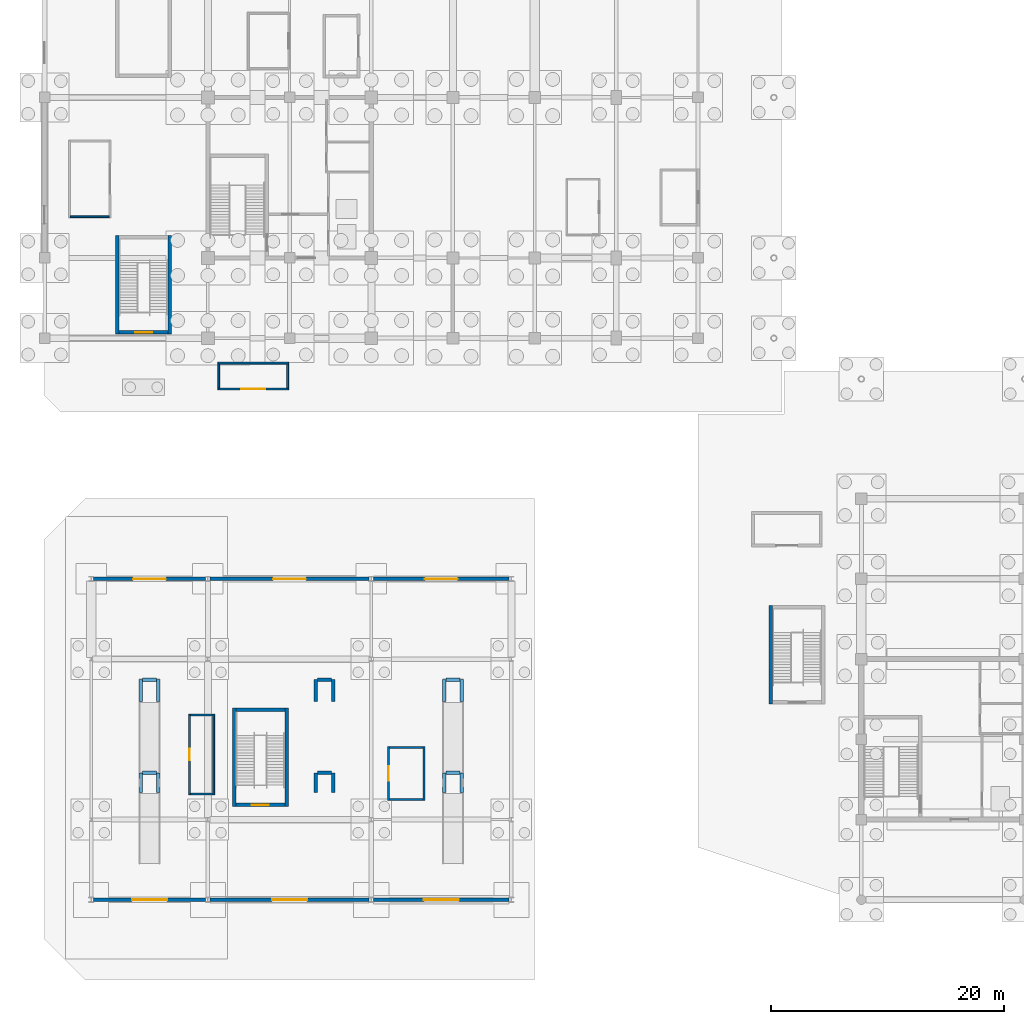
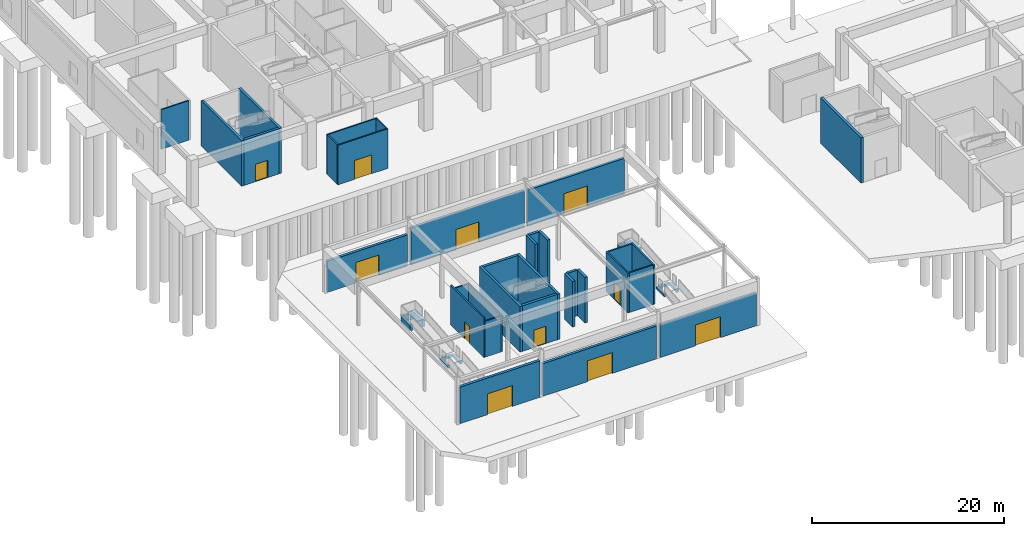
# One storey, part 37 of 62: 45 walls, 11 doors, 11 openings.
"""IFC4 building model written with IfcOpenShell, lengths in metres."""

from ifc_helpers import new_model, si_unit, direction, frame, frame_2d, origin, place, context, subcontext, project, spatial, rectangle, extrude, material, layer, layer_set, type_object, element, fill, save


model = new_model("IFC4")

# Units and contexts
model_context = context("Model", 3, precision=1e-05, world=origin(), true_north=direction((0.0, 1.0)))
body_context = subcontext(model_context, "Body", "Model", "MODEL_VIEW")
ifc_project = project(units=[si_unit("LENGTHUNIT", "METRE"), si_unit("AREAUNIT", "SQUARE_METRE"), si_unit("VOLUMEUNIT", "CUBIC_METRE"), si_unit("PLANEANGLEUNIT", "RADIAN"), si_unit("MASSUNIT", "GRAM", prefix="KILO")], contexts=[model_context])

# Site, building, storey
site_placement = place(None, origin())
site = spatial("IfcSite", under=ifc_project, at=site_placement, CompositionType="ELEMENT")
building_placement = place(site_placement, origin())
building = spatial("IfcBuilding", under=site, at=building_placement, Name="Linyun Crest Stadium", CompositionType="ELEMENT")
storey_placement = place(building_placement, frame((0.0, 0.0, -6.0)))
storey = spatial("IfcBuildingStorey", under=building, at=storey_placement, Name="B1", CompositionType="ELEMENT", Elevation=-6.0)

# Wall, opening, door
ifc_material_1 = material(Name="Concrete C40 with warm ochre ceramic faience", Category="concrete")
ifc_layer_1 = layer(ifc_material_1, 0.31005859375)
ifc_layer_set_1 = layer_set([ifc_layer_1], Name="Concrete C40 with warm ochre ceramic faience")
wall_type_1 = type_object("IfcWallType", Name="EW04", PredefinedType="SOLIDWALL", material=ifc_layer_set_1)
wall_1_placement = place(storey_placement, frame((-93.81005859375, -66.625, 0.0), z_axis=(0.0, 0.0, 1.0), x_axis=(1.0, 0.0, 0.0)))
wall_1 = element("IfcWall", 1, at=wall_1_placement, inside=storey, type_object=wall_type_1, Name="Exterior wall EW04 B1 40", PredefinedType="SOLIDWALL", context=body_context, shape_type="SweptSolid", body=[
    extrude(rectangle(XDim=9.6201171875, YDim=0.31005859375, at=frame_2d((4.81005859375, 0.0))), origin(), (0.0, 0.0, 1.0), 3.955078125),
])
opening_1_placement = place(wall_1_placement, frame((3.409912109375, 0.0, 0.0)))
opening_1 = element("IfcOpeningElement", 2, at=opening_1_placement, cuts=wall_1, Name="Opening G07", PredefinedType="OPENING", context=body_context, shape_type="SweptSolid", body=[
    extrude(rectangle(XDim=2.800048828125, YDim=2.60009765625, at=frame_2d((1.39990234375, 1.300048828125))), frame((0.0, 0.1650390625, 0.0), z_axis=(0.0, -1.0, 0.0), x_axis=(1.0, 0.0, 0.0)), (0.0, 0.0, 1.0), 0.330078125),
])
ifc_material_2 = material(Name="Verdigris painted steel botanical gate", Category="steel")
ifc_layer_2 = layer(ifc_material_2, 0.054931640625)
ifc_layer_set_2 = layer_set([ifc_layer_2], Name="Verdigris painted steel botanical gate")
door_type_1 = type_object("IfcDoorType", Name="GD03", OperationType="NOTDEFINED", PredefinedType="DOOR", material=ifc_layer_set_2)
door_1_placement = place(opening_1_placement, origin())
door_1 = element("IfcDoor", 3, at=door_1_placement, inside=storey, type_object=door_type_1, Name="Pedestrian exit gate G07", OperationType="DOUBLE_DOOR_SINGLE_SWING", OverallHeight=2.60009765625, OverallWidth=2.800048828125, PredefinedType="DOOR", context=body_context, shape_type="SweptSolid", body=[
    extrude(rectangle(XDim=2.800048828125, YDim=2.60009765625, at=frame_2d((1.39990234375, 1.300048828125))), frame((0.0, 0.02490234375, 0.0), z_axis=(0.0, -1.0, 0.0), x_axis=(1.0, 0.0, 0.0)), (0.0, 0.0, 1.0), 0.050048828125),
])
fill(opening_1, door_1)

wall_2_placement = place(storey_placement, frame((-84.18994140625, -94.125, 0.0), z_axis=(0.0, 0.0, 1.0), x_axis=(-1.0, 0.0, 0.0)))
wall_2 = element("IfcWall", 4, at=wall_2_placement, inside=storey, type_object=wall_type_1, Name="Exterior wall EW04 B1 41", PredefinedType="SOLIDWALL", context=body_context, shape_type="SweptSolid", body=[
    extrude(rectangle(XDim=9.6201171875, YDim=0.31005859375, at=frame_2d((4.81005859375, 0.0))), origin(), (0.0, 0.0, 1.0), 4.655029296875),
])
opening_2_placement = place(wall_2_placement, frame((3.31005859375, 0.0, 0.0)))
opening_2 = element("IfcOpeningElement", 5, at=opening_2_placement, cuts=wall_2, Name="Opening G08", PredefinedType="OPENING", context=body_context, shape_type="SweptSolid", body=[
    extrude(rectangle(XDim=3.0, YDim=2.64990234375, at=frame_2d((1.5, 1.324951171875))), frame((0.0, 0.1650390625, 0.0), z_axis=(0.0, -1.0, 0.0), x_axis=(1.0, 0.0, 0.0)), (0.0, 0.0, 1.0), 0.330078125),
])
ifc_material_3 = material(Name="Verdigris painted steel botanical gate", Category="steel")
ifc_layer_3 = layer(ifc_material_3, 0.06005859375)
ifc_layer_set_3 = layer_set([ifc_layer_3], Name="Verdigris painted steel botanical gate")
door_type_2 = type_object("IfcDoorType", Name="GD04", OperationType="NOTDEFINED", PredefinedType="DOOR", material=ifc_layer_set_3)
door_2_placement = place(opening_2_placement, origin())
door_2 = element("IfcDoor", 6, at=door_2_placement, inside=storey, type_object=door_type_2, Name="Pedestrian exit gate G08", OperationType="DOUBLE_DOOR_SINGLE_SWING", OverallHeight=2.64990234375, OverallWidth=3.0, PredefinedType="DOOR", context=body_context, shape_type="SweptSolid", body=[
    extrude(rectangle(XDim=3.0, YDim=2.64990234375, at=frame_2d((1.5, 1.324951171875))), frame((0.0, 0.02490234375, 0.0), z_axis=(0.0, -1.0, 0.0), x_axis=(1.0, 0.0, 0.0)), (0.0, 0.0, 1.0), 0.050048828125),
])
fill(opening_2, door_2)

wall_3_placement = place(storey_placement, frame((-83.81005859375, -66.625, 0.0), z_axis=(0.0, 0.0, 1.0), x_axis=(1.0, 0.0, 0.0)))
wall_3 = element("IfcWall", 7, at=wall_3_placement, inside=storey, type_object=wall_type_1, Name="Exterior wall EW04 B1 44", PredefinedType="SOLIDWALL", context=body_context, shape_type="SweptSolid", body=[
    extrude(rectangle(XDim=13.6201171875, YDim=0.31005859375, at=frame_2d((6.81005859375, 0.0))), origin(), (0.0, 0.0, 1.0), 4.655029296875),
])
opening_3_placement = place(wall_3_placement, frame((5.409912109375, 0.0, 0.0)))
opening_3 = element("IfcOpeningElement", 8, at=opening_3_placement, cuts=wall_3, Name="Opening G11", PredefinedType="OPENING", context=body_context, shape_type="SweptSolid", body=[
    extrude(rectangle(XDim=2.800048828125, YDim=2.60009765625, at=frame_2d((1.39990234375, 1.300048828125))), frame((0.0, 0.1650390625, 0.0), z_axis=(0.0, -1.0, 0.0), x_axis=(1.0, 0.0, 0.0)), (0.0, 0.0, 1.0), 0.330078125),
])
door_3_placement = place(opening_3_placement, origin())
door_3 = element("IfcDoor", 9, at=door_3_placement, inside=storey, type_object=door_type_1, Name="Pedestrian exit gate G11", OperationType="DOUBLE_DOOR_SINGLE_SWING", OverallHeight=2.60009765625, OverallWidth=2.800048828125, PredefinedType="DOOR", context=body_context, shape_type="SweptSolid", body=[
    extrude(rectangle(XDim=2.800048828125, YDim=2.60009765625, at=frame_2d((1.39990234375, 1.300048828125))), frame((0.0, 0.02490234375, 0.0), z_axis=(0.0, -1.0, 0.0), x_axis=(1.0, 0.0, 0.0)), (0.0, 0.0, 1.0), 0.050048828125),
])
fill(opening_3, door_3)

wall_4_placement = place(storey_placement, frame((-70.18994140625, -94.125, 0.0), z_axis=(0.0, 0.0, 1.0), x_axis=(-1.0, 0.0, 0.0)))
wall_4 = element("IfcWall", 10, at=wall_4_placement, inside=storey, type_object=wall_type_1, Name="Exterior wall EW04 B1 45", PredefinedType="SOLIDWALL", context=body_context, shape_type="SweptSolid", body=[
    extrude(rectangle(XDim=13.6201171875, YDim=0.31005859375, at=frame_2d((6.81005859375, 0.0))), origin(), (0.0, 0.0, 1.0), 4.155029296875),
])
opening_4_placement = place(wall_4_placement, frame((5.31005859375, 0.0, 0.0)))
opening_4 = element("IfcOpeningElement", 11, at=opening_4_placement, cuts=wall_4, Name="Opening G12", PredefinedType="OPENING", context=body_context, shape_type="SweptSolid", body=[
    extrude(rectangle(XDim=3.0, YDim=2.64990234375, at=frame_2d((1.5, 1.324951171875))), frame((0.0, 0.1650390625, 0.0), z_axis=(0.0, -1.0, 0.0), x_axis=(1.0, 0.0, 0.0)), (0.0, 0.0, 1.0), 0.330078125),
])
door_4_placement = place(opening_4_placement, origin())
door_4 = element("IfcDoor", 12, at=door_4_placement, inside=storey, type_object=door_type_2, Name="Pedestrian exit gate G12", OperationType="DOUBLE_DOOR_SINGLE_SWING", OverallHeight=2.64990234375, OverallWidth=3.0, PredefinedType="DOOR", context=body_context, shape_type="SweptSolid", body=[
    extrude(rectangle(XDim=3.0, YDim=2.64990234375, at=frame_2d((1.5, 1.324951171875))), frame((0.0, 0.02490234375, 0.0), z_axis=(0.0, -1.0, 0.0), x_axis=(1.0, 0.0, 0.0)), (0.0, 0.0, 1.0), 0.050048828125),
])
fill(opening_4, door_4)

wall_5_placement = place(storey_placement, frame((-69.81005859375, -66.625, 0.0), z_axis=(0.0, 0.0, 1.0), x_axis=(1.0, 0.0, 0.0)))
wall_5 = element("IfcWall", 13, at=wall_5_placement, inside=storey, type_object=wall_type_1, Name="Exterior wall EW04 B1 48", PredefinedType="SOLIDWALL", context=body_context, shape_type="SweptSolid", body=[
    extrude(rectangle(XDim=11.6201171875, YDim=0.31005859375, at=frame_2d((5.81005859375, 0.0))), origin(), (0.0, 0.0, 1.0), 4.554931640625),
])
opening_5_placement = place(wall_5_placement, frame((4.409912109375, 0.0, 0.0)))
opening_5 = element("IfcOpeningElement", 14, at=opening_5_placement, cuts=wall_5, Name="Opening G15", PredefinedType="OPENING", context=body_context, shape_type="SweptSolid", body=[
    extrude(rectangle(XDim=2.800048828125, YDim=2.60009765625, at=frame_2d((1.39990234375, 1.300048828125))), frame((0.0, 0.1650390625, 0.0), z_axis=(0.0, -1.0, 0.0), x_axis=(1.0, 0.0, 0.0)), (0.0, 0.0, 1.0), 0.330078125),
])
door_5_placement = place(opening_5_placement, origin())
door_5 = element("IfcDoor", 15, at=door_5_placement, inside=storey, type_object=door_type_1, Name="Pedestrian exit gate G15", OperationType="DOUBLE_DOOR_SINGLE_SWING", OverallHeight=2.60009765625, OverallWidth=2.800048828125, PredefinedType="DOOR", context=body_context, shape_type="SweptSolid", body=[
    extrude(rectangle(XDim=2.800048828125, YDim=2.60009765625, at=frame_2d((1.39990234375, 1.300048828125))), frame((0.0, 0.02490234375, 0.0), z_axis=(0.0, -1.0, 0.0), x_axis=(1.0, 0.0, 0.0)), (0.0, 0.0, 1.0), 0.050048828125),
])
fill(opening_5, door_5)

wall_6_placement = place(storey_placement, frame((-58.18994140625, -94.125, 0.0), z_axis=(0.0, 0.0, 1.0), x_axis=(-1.0, 0.0, 0.0)))
wall_6 = element("IfcWall", 16, at=wall_6_placement, inside=storey, type_object=wall_type_1, Name="Exterior wall EW04 B1 49", PredefinedType="SOLIDWALL", context=body_context, shape_type="SweptSolid", body=[
    extrude(rectangle(XDim=11.6201171875, YDim=0.31005859375, at=frame_2d((5.81005859375, 0.0))), origin(), (0.0, 0.0, 1.0), 4.155029296875),
])
opening_6_placement = place(wall_6_placement, frame((4.31005859375, 0.0, 0.0)))
opening_6 = element("IfcOpeningElement", 17, at=opening_6_placement, cuts=wall_6, Name="Opening G16", PredefinedType="OPENING", context=body_context, shape_type="SweptSolid", body=[
    extrude(rectangle(XDim=3.0, YDim=2.64990234375, at=frame_2d((1.5, 1.324951171875))), frame((0.0, 0.1650390625, 0.0), z_axis=(0.0, -1.0, 0.0), x_axis=(1.0, 0.0, 0.0)), (0.0, 0.0, 1.0), 0.330078125),
])
door_6_placement = place(opening_6_placement, origin())
door_6 = element("IfcDoor", 18, at=door_6_placement, inside=storey, type_object=door_type_2, Name="Pedestrian exit gate G16", OperationType="DOUBLE_DOOR_SINGLE_SWING", OverallHeight=2.64990234375, OverallWidth=3.0, PredefinedType="DOOR", context=body_context, shape_type="SweptSolid", body=[
    extrude(rectangle(XDim=3.0, YDim=2.64990234375, at=frame_2d((1.5, 1.324951171875))), frame((0.0, 0.02490234375, 0.0), z_axis=(0.0, -1.0, 0.0), x_axis=(1.0, 0.0, 0.0)), (0.0, 0.0, 1.0), 0.050048828125),
])
fill(opening_6, door_6)

# Wall
ifc_material_4 = material(Name="Steel-stud gypsum corridor fire partition", Category="steel")
ifc_layer_4 = layer(ifc_material_4, 0.14990234375)
ifc_layer_set_4 = layer_set([ifc_layer_4], Name="Steel-stud gypsum corridor fire partition")
wall_type_2 = type_object("IfcWallType", Name="PW14", PredefinedType="PARTITIONING", material=ifc_layer_set_4)
wall_7_placement = place(storey_placement, frame((-95.7919921875, -35.593994140625, 0.0), z_axis=(0.0, 0.0, 1.0), x_axis=(1.0, 0.0, 0.0)))
element("IfcWall", 19, at=wall_7_placement, inside=storey, type_object=wall_type_2, Name="Enclosure partition PW14 B1 131", PredefinedType="PARTITIONING", context=body_context, shape_type="SweptSolid", body=[
    extrude(rectangle(XDim=3.330078125, YDim=0.14990234375, at=frame_2d((1.6650390625, 0.0))), origin(), (0.0, 0.0, 1.0), 5.02001953125),
])

# Wall, opening, door
ifc_material_5 = material(Name="Medical and doping-control hygienic partition")
ifc_layer_5 = layer(ifc_material_5, 0.155029296875)
ifc_layer_set_5 = layer_set([ifc_layer_5], Name="Medical and doping-control hygienic partition")
wall_type_3 = type_object("IfcWallType", Name="PW23", PredefinedType="PARTITIONING", material=ifc_layer_set_5)
wall_8_placement = place(storey_placement, frame((-85.576904296875, -85.132080078125, 0.0), z_axis=(0.0, 0.0, 1.0), x_axis=(0.0, 1.0, 0.0)))
wall_8 = element("IfcWall", 20, at=wall_8_placement, inside=storey, type_object=wall_type_3, Name="Partition PW23 B1 156", PredefinedType="PARTITIONING", context=body_context, shape_type="SweptSolid", body=[
    extrude(rectangle(XDim=6.920166015625, YDim=0.155029296875, at=frame_2d((3.4599609375, 0.0))), origin(), (0.0, 0.0, 1.0), 5.02001953125),
])
opening_7_placement = place(wall_8_placement, frame((2.9599609375, 0.0, 0.0)))
opening_7 = element("IfcOpeningElement", 21, at=opening_7_placement, cuts=wall_8, Name="Opening D-B1-419", PredefinedType="OPENING", context=body_context, shape_type="SweptSolid", body=[
    extrude(rectangle(XDim=1.0, YDim=2.14990234375, at=frame_2d((0.5, 1.074951171875))), frame((0.0, 0.08740234375, 0.0), z_axis=(0.0, -1.0, 0.0), x_axis=(1.0, 0.0, 0.0)), (0.0, 0.0, 1.0), 0.175048828125),
])
ifc_material_6 = material(Name="Hardwood veneer acoustic leaf", Category="wood")
ifc_layer_6 = layer(ifc_material_6, 0.044921875)
ifc_layer_set_6 = layer_set([ifc_layer_6], Name="Hardwood veneer acoustic leaf")
door_type_3 = type_object("IfcDoorType", Name="ID01", OperationType="NOTDEFINED", PredefinedType="DOOR", material=ifc_layer_set_6)
door_7_placement = place(opening_7_placement, origin())
door_7 = element("IfcDoor", 22, at=door_7_placement, inside=storey, type_object=door_type_3, Name="Door D-B1-419", OperationType="SINGLE_SWING_LEFT", OverallHeight=2.14990234375, OverallWidth=1.0, PredefinedType="DOOR", context=body_context, shape_type="SweptSolid", body=[
    extrude(rectangle(XDim=1.0, YDim=2.14990234375, at=frame_2d((0.5, 1.074951171875))), frame((0.0, 0.02490234375, 0.0), z_axis=(0.0, -1.0, 0.0), x_axis=(1.0, 0.0, 0.0)), (0.0, 0.0, 1.0), 0.050048828125),
])
fill(opening_7, door_7)

wall_9_placement = place(storey_placement, frame((-77.089111328125, -50.35693359375, 0.0), z_axis=(0.0, 0.0, 1.0), x_axis=(-1.0, 0.0, 0.0)))
wall_9 = element("IfcWall", 23, at=wall_9_placement, inside=storey, type_object=wall_type_3, Name="Partition PW23 B1 250", PredefinedType="PARTITIONING", context=body_context, shape_type="SweptSolid", body=[
    extrude(rectangle(XDim=6.0498046875, YDim=0.155029296875, at=frame_2d((3.02490234375, 0.0))), origin(), (0.0, 0.0, 1.0), 5.02001953125),
])
opening_8_placement = place(wall_9_placement, frame((2.0, 0.0, 0.0)))
opening_8 = element("IfcOpeningElement", 24, at=opening_8_placement, cuts=wall_9, Name="Opening D-B1-513", PredefinedType="OPENING", context=body_context, shape_type="SweptSolid", body=[
    extrude(rectangle(XDim=2.050048828125, YDim=2.39990234375, at=frame_2d((1.02490234375, 1.199951171875))), frame((0.0, 0.08740234375, 0.0), z_axis=(0.0, -1.0, 0.0), x_axis=(1.0, 0.0, 0.0)), (0.0, 0.0, 1.0), 0.175048828125),
])
ifc_material_7 = material(Name="Double-leaf glazed aluminium door", Category="aluminium")
ifc_layer_7 = layer(ifc_material_7, 0.054931640625)
ifc_layer_set_7 = layer_set([ifc_layer_7], Name="Double-leaf glazed aluminium door")
door_type_4 = type_object("IfcDoorType", Name="ID07", OperationType="NOTDEFINED", PredefinedType="DOOR", material=ifc_layer_set_7)
door_8_placement = place(opening_8_placement, origin())
door_8 = element("IfcDoor", 25, at=door_8_placement, inside=storey, type_object=door_type_4, Name="Door D-B1-513", OperationType="DOUBLE_DOOR_SINGLE_SWING", OverallHeight=2.39990234375, OverallWidth=2.050048828125, PredefinedType="DOOR", context=body_context, shape_type="SweptSolid", body=[
    extrude(rectangle(XDim=2.050048828125, YDim=2.39990234375, at=frame_2d((1.02490234375, 1.199951171875))), frame((0.0, 0.02490234375, 0.0), z_axis=(0.0, -1.0, 0.0), x_axis=(1.0, 0.0, 0.0)), (0.0, 0.0, 1.0), 0.050048828125),
])
fill(opening_8, door_8)

# Walls
wall_10_placement = place(storey_placement, frame((-83.4970703125, -85.132080078125, 0.0), z_axis=(0.0, 0.0, 1.0), x_axis=(0.0, 1.0, 0.0)))
element("IfcWall", 26, at=wall_10_placement, inside=storey, type_object=wall_type_3, Name="Enclosure partition PW23 B1 184", PredefinedType="PARTITIONING", context=body_context, shape_type="SweptSolid", body=[
    extrude(rectangle(XDim=6.920166015625, YDim=0.155029296875, at=frame_2d((3.4599609375, 0.0))), origin(), (0.0, 0.0, 1.0), 4.554931640625),
])
for number, where, z_axis, x_axis, name in (
    (27, (-85.4990234375, -85.053955078125, 0.0), (0.0, 0.0, 1.0), (1.0, 0.0, 0.0), "Enclosure partition PW23 B1 185"),
    (28, (-85.4990234375, -78.2900390625, 0.0), (0.0, 0.0, 1.0), (1.0, 0.0, 0.0), "Enclosure partition PW23 B1 186"),
):
    element("IfcWall", number, at=place(storey_placement, frame(where, z_axis=z_axis, x_axis=x_axis)), inside=storey, type_object=wall_type_3, Name=name, PredefinedType="PARTITIONING", context=body_context, shape_type="SweptSolid", body=[
        extrude(rectangle(XDim=1.924072265625, YDim=0.155029296875, at=frame_2d((0.9619140625, 0.0))), origin(), (0.0, 0.0, 1.0), 4.554931640625),
    ])
wall_11_placement = place(storey_placement, frame((-83.138916015625, -48.136962890625, 0.0), z_axis=(0.0, 0.0, 1.0), x_axis=(1.0, 0.0, 0.0)))
element("IfcWall", 29, at=wall_11_placement, inside=storey, type_object=wall_type_3, Name="Enclosure partition PW23 B1 466", PredefinedType="PARTITIONING", context=body_context, shape_type="SweptSolid", body=[
    extrude(rectangle(XDim=6.0498046875, YDim=0.155029296875, at=frame_2d((3.02490234375, 0.0))), origin(), (0.0, 0.0, 1.0), 5.02001953125),
])
for number, where, z_axis, x_axis, name in (
    (30, (-83.06103515625, -50.279052734375, 0.0), (0.0, 0.0, 1.0), (0.0, 1.0, 0.0), "Enclosure partition PW23 B1 467"),
    (31, (-77.1669921875, -50.279052734375, 0.0), (0.0, 0.0, 1.0), (0.0, 1.0, 0.0), "Enclosure partition PW23 B1 468"),
):
    element("IfcWall", number, at=place(storey_placement, frame(where, z_axis=z_axis, x_axis=x_axis)), inside=storey, type_object=wall_type_3, Name=name, PredefinedType="PARTITIONING", context=body_context, shape_type="SweptSolid", body=[
        extrude(rectangle(XDim=2.06396484375, YDim=0.155029296875, at=frame_2d((1.031982421875, 0.0))), origin(), (0.0, 0.0, 1.0), 5.02001953125),
    ])

# Wall, opening, door
ifc_material_8 = material(Name="Concourse concession fire-rated masonry wall", Category="masonry")
ifc_layer_8 = layer(ifc_material_8, 0.175048828125)
ifc_layer_set_8 = layer_set([ifc_layer_8], Name="Concourse concession fire-rated masonry wall")
wall_type_4 = type_object("IfcWallType", Name="PW24", PredefinedType="PARTITIONING", material=ifc_layer_set_8)
wall_12_placement = place(storey_placement, frame((-68.530029296875, -85.60498046875, 0.0), z_axis=(0.0, 0.0, 1.0), x_axis=(0.0, 1.0, 0.0)))
wall_12 = element("IfcWall", 32, at=wall_12_placement, inside=storey, type_object=wall_type_4, Name="Partition PW24 B1 157", PredefinedType="PARTITIONING", context=body_context, shape_type="SweptSolid", body=[
    extrude(rectangle(XDim=4.60009765625, YDim=0.175048828125, at=frame_2d((2.300048828125, 0.0))), origin(), (0.0, 0.0, 1.0), 5.02001953125),
])
opening_9_placement = place(wall_12_placement, frame((1.675048828125, 0.0, 0.0)))
opening_9 = element("IfcOpeningElement", 33, at=opening_9_placement, cuts=wall_12, Name="Opening D-B1-420", PredefinedType="OPENING", context=body_context, shape_type="SweptSolid", body=[
    extrude(rectangle(XDim=1.25, YDim=2.199951171875, at=frame_2d((0.625, 1.10009765625))), frame((0.0, 0.097412109375, 0.0), z_axis=(0.0, -1.0, 0.0), x_axis=(1.0, 0.0, 0.0)), (0.0, 0.0, 1.0), 0.195068359375),
])
ifc_material_9 = material(Name="Solid-core timber acoustic door", Category="wood")
ifc_layer_9 = layer(ifc_material_9, 0.050048828125)
ifc_layer_set_9 = layer_set([ifc_layer_9], Name="Solid-core timber acoustic door")
door_type_5 = type_object("IfcDoorType", Name="ID04", OperationType="NOTDEFINED", PredefinedType="DOOR", material=ifc_layer_set_9)
door_9_placement = place(opening_9_placement, origin())
door_9 = element("IfcDoor", 34, at=door_9_placement, inside=storey, type_object=door_type_5, Name="Door D-B1-420", OperationType="SINGLE_SWING_RIGHT", OverallHeight=2.199951171875, OverallWidth=1.25, PredefinedType="DOOR", context=body_context, shape_type="SweptSolid", body=[
    extrude(rectangle(XDim=1.25, YDim=2.199951171875, at=frame_2d((0.625, 1.10009765625))), frame((0.0, 0.02490234375, 0.0), z_axis=(0.0, -1.0, 0.0), x_axis=(1.0, 0.0, 0.0)), (0.0, 0.0, 1.0), 0.050048828125),
])
fill(opening_9, door_9)

# Walls
wall_13_placement = place(storey_placement, frame((-65.469970703125, -85.60498046875, 0.0), z_axis=(0.0, 0.0, 1.0), x_axis=(0.0, 1.0, 0.0)))
element("IfcWall", 35, at=wall_13_placement, inside=storey, type_object=wall_type_4, Name="Enclosure partition PW24 B1 187", PredefinedType="PARTITIONING", context=body_context, shape_type="SweptSolid", body=[
    extrude(rectangle(XDim=4.60009765625, YDim=0.175048828125, at=frame_2d((2.300048828125, 0.0))), origin(), (0.0, 0.0, 1.0), 5.02001953125),
])
for number, where, z_axis, x_axis, name in (
    (36, (-68.44189453125, -85.51708984375, 0.0), (0.0, 0.0, 1.0), (1.0, 0.0, 0.0), "Enclosure partition PW24 B1 188"),
    (37, (-68.44189453125, -81.093017578125, 0.0), (0.0, 0.0, 1.0), (1.0, 0.0, 0.0), "Enclosure partition PW24 B1 189"),
):
    element("IfcWall", number, at=place(storey_placement, frame(where, z_axis=z_axis, x_axis=x_axis)), inside=storey, type_object=wall_type_4, Name=name, PredefinedType="PARTITIONING", context=body_context, shape_type="SweptSolid", body=[
        extrude(rectangle(XDim=2.8837890625, YDim=0.175048828125, at=frame_2d((1.44189453125, 0.0))), origin(), (0.0, 0.0, 1.0), 5.02001953125),
    ])

# Wall, opening, door
ifc_material_10 = material(Name="Concrete C50", Category="concrete")
ifc_layer_10 = layer(ifc_material_10, 0.300048828125)
ifc_layer_set_10 = layer_set([ifc_layer_10], Name="Concrete C50")
wall_type_5 = type_object("IfcWallType", Name="SW01", PredefinedType="SHEAR", material=ifc_layer_set_10)
wall_14_placement = place(storey_placement, frame((-91.60009765625, -45.5, 0.0), z_axis=(0.0, 0.0, 1.0), x_axis=(1.0, 0.0, 0.0)))
wall_14 = element("IfcWall", 38, at=wall_14_placement, inside=storey, type_object=wall_type_5, Name="Stair shaft wall SW01 STR-13 B1 S", PredefinedType="SHEAR", context=body_context, shape_type="SweptSolid", body=[
    extrude(rectangle(XDim=4.2001953125, YDim=0.300048828125, at=frame_2d((2.10009765625, 0.0))), origin(), (0.0, 0.0, 1.0), 5.75),
])
opening_10_placement = place(wall_14_placement, frame((1.375, 0.0, 0.0)))
opening_10 = element("IfcOpeningElement", 39, at=opening_10_placement, cuts=wall_14, Name="Opening D-B1-540", PredefinedType="OPENING", context=body_context, shape_type="SweptSolid", body=[
    extrude(rectangle(XDim=1.449951171875, YDim=2.199951171875, at=frame_2d((0.72509765625, 1.10009765625))), frame((0.0, 0.159912109375, 0.0), z_axis=(0.0, -1.0, 0.0), x_axis=(1.0, 0.0, 0.0)), (0.0, 0.0, 1.0), 0.320068359375),
])
ifc_material_11 = material(Name="Galvanized steel Class A fire door", Category="steel")
ifc_layer_11 = layer(ifc_material_11, 0.054931640625)
ifc_layer_set_11 = layer_set([ifc_layer_11], Name="Galvanized steel Class A fire door")
door_type_6 = type_object("IfcDoorType", Name="FD02", OperationType="NOTDEFINED", PredefinedType="DOOR", material=ifc_layer_set_11)
door_10_placement = place(opening_10_placement, origin())
door_10 = element("IfcDoor", 40, at=door_10_placement, inside=storey, type_object=door_type_6, Name="Door D-B1-540", OperationType="SINGLE_SWING_RIGHT", OverallHeight=2.199951171875, OverallWidth=1.449951171875, PredefinedType="DOOR", context=body_context, shape_type="SweptSolid", body=[
    extrude(rectangle(XDim=1.449951171875, YDim=2.199951171875, at=frame_2d((0.72509765625, 1.10009765625))), frame((0.0, 0.02490234375, 0.0), z_axis=(0.0, -1.0, 0.0), x_axis=(1.0, 0.0, 0.0)), (0.0, 0.0, 1.0), 0.050048828125),
])
fill(opening_10, door_10)

# Walls
for number, where, z_axis, x_axis, name in (
    (41, (-91.75, -45.64990234375, 0.0), (0.0, 0.0, 1.0), (0.0, 1.0, 0.0), "Stair shaft wall SW01 STR-13 B1 W"),
    (42, (-87.25, -45.64990234375, 0.0), (0.0, 0.0, 1.0), (0.0, 1.0, 0.0), "Stair shaft wall SW01 STR-13 B1 E"),
):
    element("IfcWall", number, at=place(storey_placement, frame(where, z_axis=z_axis, x_axis=x_axis)), inside=storey, type_object=wall_type_5, Name=name, PredefinedType="SHEAR", context=body_context, shape_type="SweptSolid", body=[
        extrude(rectangle(XDim=8.449951171875, YDim=0.300048828125, at=frame_2d((4.22509765625, 0.0))), origin(), (0.0, 0.0, 1.0), 5.75),
    ])
wall_15_placement = place(storey_placement, frame((-35.75, -77.35009765625, 0.0), z_axis=(0.0, 0.0, 1.0), x_axis=(0.0, 1.0, 0.0)))
element("IfcWall", 43, at=wall_15_placement, inside=storey, type_object=wall_type_5, Name="Stair shaft wall SW01 STR-27 B1 W", PredefinedType="SHEAR", context=body_context, shape_type="SweptSolid", body=[
    extrude(rectangle(XDim=8.4501953125, YDim=0.300048828125, at=frame_2d((4.22509765625, 0.0))), origin(), (0.0, 0.0, 1.0), 5.75),
])

# Wall, opening, door
wall_16_placement = place(storey_placement, frame((-81.60009765625, -86.0, 0.0), z_axis=(0.0, 0.0, 1.0), x_axis=(1.0, 0.0, 0.0)))
wall_16 = element("IfcWall", 44, at=wall_16_placement, inside=storey, type_object=wall_type_5, Name="Stair shaft wall SW01 STR-30 B1 S", PredefinedType="SHEAR", context=body_context, shape_type="SweptSolid", body=[
    extrude(rectangle(XDim=4.2001953125, YDim=0.300048828125, at=frame_2d((2.10009765625, 0.0))), origin(), (0.0, 0.0, 1.0), 5.780029296875),
])
opening_11_placement = place(wall_16_placement, frame((1.375, 0.0, 0.0)))
opening_11 = element("IfcOpeningElement", 45, at=opening_11_placement, cuts=wall_16, Name="Opening D-B1-627", PredefinedType="OPENING", context=body_context, shape_type="SweptSolid", body=[
    extrude(rectangle(XDim=1.449951171875, YDim=2.199951171875, at=frame_2d((0.72509765625, 1.10009765625))), frame((0.0, 0.159912109375, 0.0), z_axis=(0.0, -1.0, 0.0), x_axis=(1.0, 0.0, 0.0)), (0.0, 0.0, 1.0), 0.320068359375),
])
door_11_placement = place(opening_11_placement, origin())
door_11 = element("IfcDoor", 46, at=door_11_placement, inside=storey, type_object=door_type_6, Name="Door D-B1-627", OperationType="SINGLE_SWING_LEFT", OverallHeight=2.199951171875, OverallWidth=1.449951171875, PredefinedType="DOOR", context=body_context, shape_type="SweptSolid", body=[
    extrude(rectangle(XDim=1.449951171875, YDim=2.199951171875, at=frame_2d((0.72509765625, 1.10009765625))), frame((0.0, 0.02490234375, 0.0), z_axis=(0.0, -1.0, 0.0), x_axis=(1.0, 0.0, 0.0)), (0.0, 0.0, 1.0), 0.050048828125),
])
fill(opening_11, door_11)

# Walls
wall_17_placement = place(storey_placement, frame((-81.60009765625, -77.85009765625, 0.0), z_axis=(0.0, 0.0, 1.0), x_axis=(1.0, 0.0, 0.0)))
element("IfcWall", 47, at=wall_17_placement, inside=storey, type_object=wall_type_5, Name="Stair shaft wall SW01 STR-30 B1 N", PredefinedType="SHEAR", context=body_context, shape_type="SweptSolid", body=[
    extrude(rectangle(XDim=4.2001953125, YDim=0.300048828125, at=frame_2d((2.10009765625, 0.0))), origin(), (0.0, 0.0, 1.0), 5.780029296875),
])
for number, where, z_axis, x_axis, name in (
    (48, (-81.75, -86.14990234375, 0.0), (0.0, 0.0, 1.0), (0.0, 1.0, 0.0), "Stair shaft wall SW01 STR-30 B1 W"),
    (49, (-77.25, -86.14990234375, 0.0), (0.0, 0.0, 1.0), (0.0, 1.0, 0.0), "Stair shaft wall SW01 STR-30 B1 E"),
):
    element("IfcWall", number, at=place(storey_placement, frame(where, z_axis=z_axis, x_axis=x_axis)), inside=storey, type_object=wall_type_5, Name=name, PredefinedType="SHEAR", context=body_context, shape_type="SweptSolid", body=[
        extrude(rectangle(XDim=8.449951171875, YDim=0.300048828125, at=frame_2d((4.22509765625, 0.0))), origin(), (0.0, 0.0, 1.0), 5.780029296875),
    ])
for number, where, z_axis, x_axis, name in (
    (50, (-89.75, -84.949951171875, 0.0), (0.0, 0.0, 1.0), (0.0, 1.0, 0.0), "Ramp plinth wall SW01 RMP-01.1W"),
    (51, (-88.25, -84.949951171875, 0.0), (0.0, 0.0, 1.0), (0.0, 1.0, 0.0), "Ramp plinth wall SW01 RMP-01.1E"),
):
    element("IfcWall", number, at=place(storey_placement, frame(where, z_axis=z_axis, x_axis=x_axis)), inside=storey, type_object=wall_type_5, Name=name, PredefinedType="SHEAR", context=body_context, shape_type="SweptSolid", body=[
        extrude(rectangle(XDim=1.699951171875, YDim=0.300048828125, at=frame_2d((0.85009765625, 0.0))), origin(), (0.0, 0.0, 1.0), 0.300048828125),
    ])
wall_18_placement = place(storey_placement, frame((-89.60009765625, -83.25, 0.0), z_axis=(0.0, 0.0, 1.0), x_axis=(1.0, 0.0, 0.0)))
element("IfcWall", 52, at=wall_18_placement, inside=storey, type_object=wall_type_5, Name="Ramp plinth wall SW01 RMP-01.1N", PredefinedType="SHEAR", context=body_context, shape_type="SweptSolid", body=[
    extrude(rectangle(XDim=1.2001953125, YDim=0.300048828125, at=frame_2d((0.60009765625, 0.0))), origin(), (0.0, 0.0, 1.0), 0.300048828125),
])
for number, where, z_axis, x_axis, name in (
    (53, (-89.75, -77.14990234375, 0.0), (0.0, 0.0, 1.0), (0.0, 1.0, 0.0), "Ramp plinth wall SW01 RMP-01.2W"),
    (54, (-88.25, -77.14990234375, 0.0), (0.0, 0.0, 1.0), (0.0, 1.0, 0.0), "Ramp plinth wall SW01 RMP-01.2E"),
):
    element("IfcWall", number, at=place(storey_placement, frame(where, z_axis=z_axis, x_axis=x_axis)), inside=storey, type_object=wall_type_5, Name=name, PredefinedType="SHEAR", context=body_context, shape_type="SweptSolid", body=[
        extrude(rectangle(XDim=1.89990234375, YDim=0.300048828125, at=frame_2d((0.949951171875, 0.0))), origin(), (0.0, 0.0, 1.0), 0.800048828125),
    ])
wall_19_placement = place(storey_placement, frame((-89.60009765625, -75.25, 0.0), z_axis=(0.0, 0.0, 1.0), x_axis=(1.0, 0.0, 0.0)))
element("IfcWall", 55, at=wall_19_placement, inside=storey, type_object=wall_type_5, Name="Ramp plinth wall SW01 RMP-01.2N", PredefinedType="SHEAR", context=body_context, shape_type="SweptSolid", body=[
    extrude(rectangle(XDim=1.2001953125, YDim=0.300048828125, at=frame_2d((0.60009765625, 0.0))), origin(), (0.0, 0.0, 1.0), 0.800048828125),
])
for number, where, z_axis, x_axis, name in (
    (56, (-63.75, -84.949951171875, 0.0), (0.0, 0.0, 1.0), (0.0, 1.0, 0.0), "Ramp plinth wall SW01 RMP-02.1W"),
    (57, (-62.25, -84.949951171875, 0.0), (0.0, 0.0, 1.0), (0.0, 1.0, 0.0), "Ramp plinth wall SW01 RMP-02.1E"),
):
    element("IfcWall", number, at=place(storey_placement, frame(where, z_axis=z_axis, x_axis=x_axis)), inside=storey, type_object=wall_type_5, Name=name, PredefinedType="SHEAR", context=body_context, shape_type="SweptSolid", body=[
        extrude(rectangle(XDim=1.699951171875, YDim=0.300048828125, at=frame_2d((0.85009765625, 0.0))), origin(), (0.0, 0.0, 1.0), 0.300048828125),
    ])
wall_20_placement = place(storey_placement, frame((-63.60009765625, -83.25, 0.0), z_axis=(0.0, 0.0, 1.0), x_axis=(1.0, 0.0, 0.0)))
element("IfcWall", 58, at=wall_20_placement, inside=storey, type_object=wall_type_5, Name="Ramp plinth wall SW01 RMP-02.1N", PredefinedType="SHEAR", context=body_context, shape_type="SweptSolid", body=[
    extrude(rectangle(XDim=1.2001953125, YDim=0.300048828125, at=frame_2d((0.60009765625, 0.0))), origin(), (0.0, 0.0, 1.0), 0.300048828125),
])
for number, where, z_axis, x_axis, name in (
    (59, (-63.75, -77.14990234375, 0.0), (0.0, 0.0, 1.0), (0.0, 1.0, 0.0), "Ramp plinth wall SW01 RMP-02.2W"),
    (60, (-62.25, -77.14990234375, 0.0), (0.0, 0.0, 1.0), (0.0, 1.0, 0.0), "Ramp plinth wall SW01 RMP-02.2E"),
):
    element("IfcWall", number, at=place(storey_placement, frame(where, z_axis=z_axis, x_axis=x_axis)), inside=storey, type_object=wall_type_5, Name=name, PredefinedType="SHEAR", context=body_context, shape_type="SweptSolid", body=[
        extrude(rectangle(XDim=1.89990234375, YDim=0.300048828125, at=frame_2d((0.949951171875, 0.0))), origin(), (0.0, 0.0, 1.0), 0.800048828125),
    ])
wall_21_placement = place(storey_placement, frame((-63.60009765625, -75.25, 0.0), z_axis=(0.0, 0.0, 1.0), x_axis=(1.0, 0.0, 0.0)))
element("IfcWall", 61, at=wall_21_placement, inside=storey, type_object=wall_type_5, Name="Ramp plinth wall SW01 RMP-02.2N", PredefinedType="SHEAR", context=body_context, shape_type="SweptSolid", body=[
    extrude(rectangle(XDim=1.2001953125, YDim=0.300048828125, at=frame_2d((0.60009765625, 0.0))), origin(), (0.0, 0.0, 1.0), 0.800048828125),
])
for number, where, z_axis, x_axis, name in (
    (62, (-74.75, -84.949951171875, 0.0), (0.0, 0.0, 1.0), (0.0, 1.0, 0.0), "Ramp sub-plinth wall SW01 RMP-05.1W"),
    (63, (-73.25, -84.949951171875, 0.0), (0.0, 0.0, 1.0), (0.0, 1.0, 0.0), "Ramp sub-plinth wall SW01 RMP-05.1E"),
):
    element("IfcWall", number, at=place(storey_placement, frame(where, z_axis=z_axis, x_axis=x_axis)), inside=storey, type_object=wall_type_5, Name=name, PredefinedType="SHEAR", context=body_context, shape_type="SweptSolid", body=[
        extrude(rectangle(XDim=1.699951171875, YDim=0.300048828125, at=frame_2d((0.85009765625, 0.0))), origin(), (0.0, 0.0, 1.0), 5.780029296875),
    ])
wall_22_placement = place(storey_placement, frame((-74.60009765625, -83.25, 0.0), z_axis=(0.0, 0.0, 1.0), x_axis=(1.0, 0.0, 0.0)))
element("IfcWall", 64, at=wall_22_placement, inside=storey, type_object=wall_type_5, Name="Ramp sub-plinth wall SW01 RMP-05.1N", PredefinedType="SHEAR", context=body_context, shape_type="SweptSolid", body=[
    extrude(rectangle(XDim=1.2001953125, YDim=0.300048828125, at=frame_2d((0.60009765625, 0.0))), origin(), (0.0, 0.0, 1.0), 5.780029296875),
])
for number, where, z_axis, x_axis, name in (
    (65, (-74.75, -77.14990234375, 0.0), (0.0, 0.0, 1.0), (0.0, 1.0, 0.0), "Ramp sub-plinth wall SW01 RMP-05.2W"),
    (66, (-73.25, -77.14990234375, 0.0), (0.0, 0.0, 1.0), (0.0, 1.0, 0.0), "Ramp sub-plinth wall SW01 RMP-05.2E"),
):
    element("IfcWall", number, at=place(storey_placement, frame(where, z_axis=z_axis, x_axis=x_axis)), inside=storey, type_object=wall_type_5, Name=name, PredefinedType="SHEAR", context=body_context, shape_type="SweptSolid", body=[
        extrude(rectangle(XDim=1.89990234375, YDim=0.300048828125, at=frame_2d((0.949951171875, 0.0))), origin(), (0.0, 0.0, 1.0), 5.780029296875),
    ])
wall_23_placement = place(storey_placement, frame((-74.60009765625, -75.25, 0.0), z_axis=(0.0, 0.0, 1.0), x_axis=(1.0, 0.0, 0.0)))
element("IfcWall", 67, at=wall_23_placement, inside=storey, type_object=wall_type_5, Name="Ramp sub-plinth wall SW01 RMP-05.2N", PredefinedType="SHEAR", context=body_context, shape_type="SweptSolid", body=[
    extrude(rectangle(XDim=1.2001953125, YDim=0.300048828125, at=frame_2d((0.60009765625, 0.0))), origin(), (0.0, 0.0, 1.0), 5.780029296875),
])

save(model, "model.ifc")
